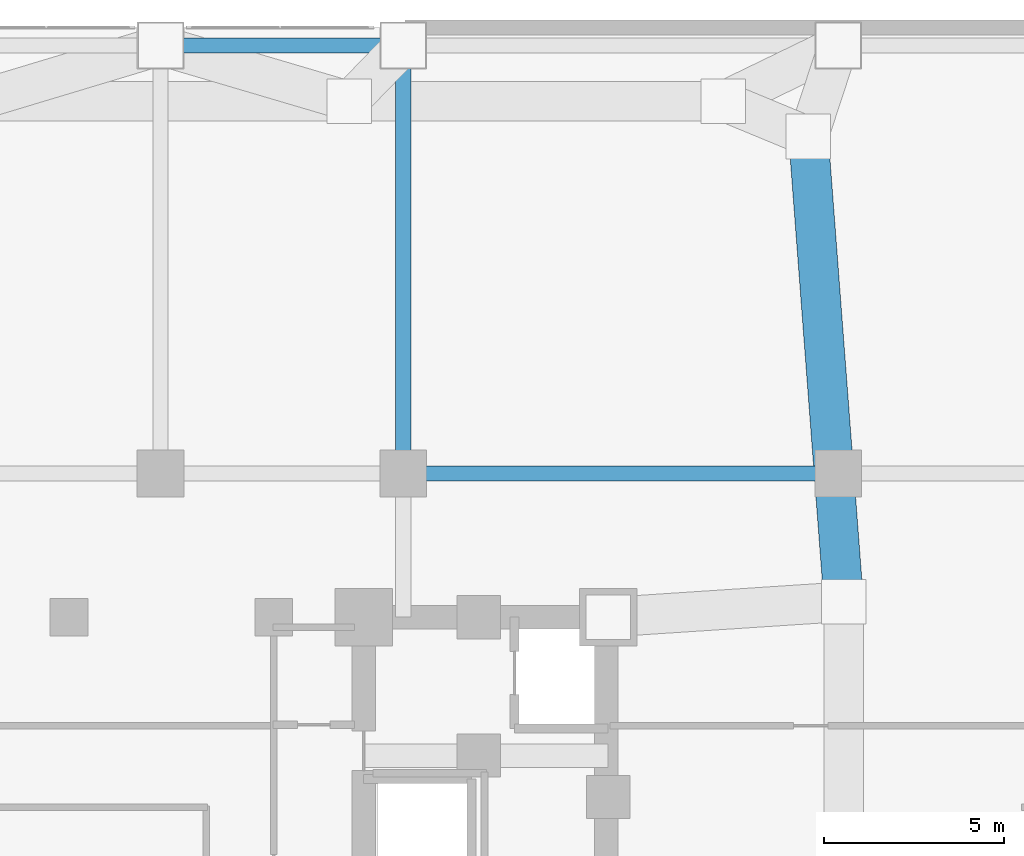
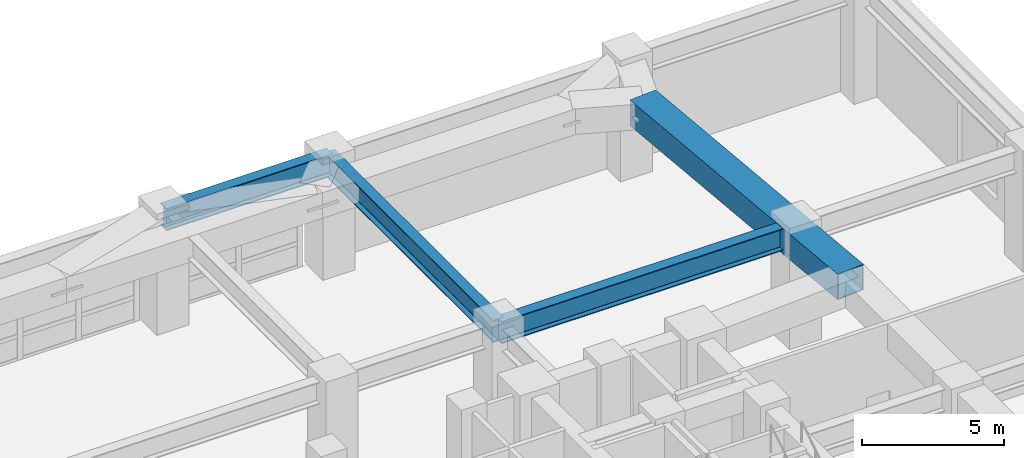
# One storey, part 12 of 20: 4 beams.
"""IFC4 building model written with IfcOpenShell, lengths in metres."""

from ifc_helpers import new_model, si_unit, direction, frame, origin, origin_2d, place, context, subcontext, project, spatial, hollow_rectangle, i_section, extrude, material, material_profile, profile_set, type_object, element, save


model = new_model("IFC4")

# Units and contexts
model_context = context("Model", 3, precision=1e-05, world=origin(), true_north=direction((0.0, 1.0)))
body_context = subcontext(model_context, "Body", "Model", "MODEL_VIEW")
ifc_project = project(units=[si_unit("LENGTHUNIT", "METRE"), si_unit("AREAUNIT", "SQUARE_METRE"), si_unit("VOLUMEUNIT", "CUBIC_METRE"), si_unit("PLANEANGLEUNIT", "RADIAN"), si_unit("MASSUNIT", "GRAM", prefix="KILO")], contexts=[model_context])

# Site, building, storey
site_placement = place(None, origin())
site = spatial("IfcSite", under=ifc_project, at=site_placement, CompositionType="ELEMENT")
building_placement = place(site_placement, origin())
building = spatial("IfcBuilding", under=site, at=building_placement, Name="Voryun Gate Residences", CompositionType="ELEMENT")
storey_placement = place(building_placement, frame((0.0, 0.0, 20.800048828125)))
storey = spatial("IfcBuildingStorey", under=building, at=storey_placement, Name="L04", CompositionType="ELEMENT", Elevation=20.800048828125)

# Beams
ifc_material_1 = material(Name="Steel SM420", Category="steel")
ifc_material_profile_1 = material_profile(ifc_material_1, hollow_rectangle(XDim=1.10009765625, YDim=1.10009765625, WallThickness=0.035888671875, at=origin_2d()), Name="BOX-1100x1100x36")
ifc_profile_set_1 = profile_set([ifc_material_profile_1], Name="Steel SM420")
beam_type_1 = type_object("IfcBeamType", Name="BM_ARCH_RIB", PredefinedType="USERDEFINED", material=ifc_profile_set_1)
beam_1_placement = place(storey_placement, frame((25.75, 7.830078125, 4.39990234375), z_axis=(-0.075617360159, 0.997136908776, 0.0), x_axis=(-0.997136908776, -0.075617360159, 0.0)))
element("IfcBeam", 1, at=beam_1_placement, inside=storey, type_object=beam_type_1, Name="BM-L04-B1RING-09", ObjectType="GIRDER", PredefinedType="USERDEFINED", context=body_context, shape_type="SweptSolid", body=[
    extrude(hollow_rectangle(XDim=1.10009765625, YDim=1.10009765625, WallThickness=0.035888671875, at=origin_2d()), origin(), (0.0, 0.0, 1.0), 12.975830078125),
])
ifc_material_2 = material(Name="Steel SM420", Category="steel")
ifc_material_profile_2 = material_profile(ifc_material_2, i_section(OverallWidth=0.419921875, OverallDepth=0.949951171875, WebThickness=0.02001953125, FlangeThickness=0.035888671875, FilletRadius=0.01806640625, at=origin_2d()), Name="H-950x420x20x36")
ifc_profile_set_2 = profile_set([ifc_material_profile_2], Name="Steel SM420")
beam_type_2 = type_object("IfcBeamType", Name="BM_XFER_950", PredefinedType="USERDEFINED", material=ifc_profile_set_2)
beam_2_placement = place(storey_placement, frame((13.5, 11.39990234375, 4.474853515625), z_axis=(1.0, 0.0, 0.0), x_axis=(0.0, 1.0, 0.0)))
element("IfcBeam", 2, at=beam_2_placement, inside=storey, type_object=beam_type_2, Name="BM-L04-GX-+11.4-5", ObjectType="GIRDER", PredefinedType="USERDEFINED", context=body_context, shape_type="SweptSolid", body=[
    extrude(i_section(OverallWidth=0.419921875, OverallDepth=0.949951171875, WebThickness=0.02001953125, FlangeThickness=0.035888671875, FilletRadius=0.01806640625, at=origin_2d()), origin(), (0.0, 0.0, 1.0), 12.10009765625),
])
beam_3_placement = place(storey_placement, frame((6.75, 23.300048828125, 4.474853515625), z_axis=(1.0, 0.0, 0.0), x_axis=(0.0, 1.0, 0.0)))
element("IfcBeam", 3, at=beam_3_placement, inside=storey, type_object=beam_type_2, Name="BM-L04-GX-+23.3-4", ObjectType="GIRDER", PredefinedType="USERDEFINED", context=body_context, shape_type="SweptSolid", body=[
    extrude(i_section(OverallWidth=0.419921875, OverallDepth=0.949951171875, WebThickness=0.02001953125, FlangeThickness=0.035888671875, FilletRadius=0.01806640625, at=origin_2d()), origin(), (0.0, 0.0, 1.0), 6.75),
])
beam_4_placement = place(storey_placement, frame((13.5, 11.39990234375, 4.474853515625), z_axis=(0.0, 1.0, 0.0), x_axis=(-1.0, 0.0, 0.0)))
element("IfcBeam", 4, at=beam_4_placement, inside=storey, type_object=beam_type_2, Name="BM-L04-GYA-+13.5-+11.4", ObjectType="GIRDER", PredefinedType="USERDEFINED", context=body_context, shape_type="SweptSolid", body=[
    extrude(i_section(OverallWidth=0.419921875, OverallDepth=0.949951171875, WebThickness=0.02001953125, FlangeThickness=0.035888671875, FilletRadius=0.01806640625, at=origin_2d()), origin(), (0.0, 0.0, 1.0), 11.900146484375),
])

save(model, "model.ifc")
